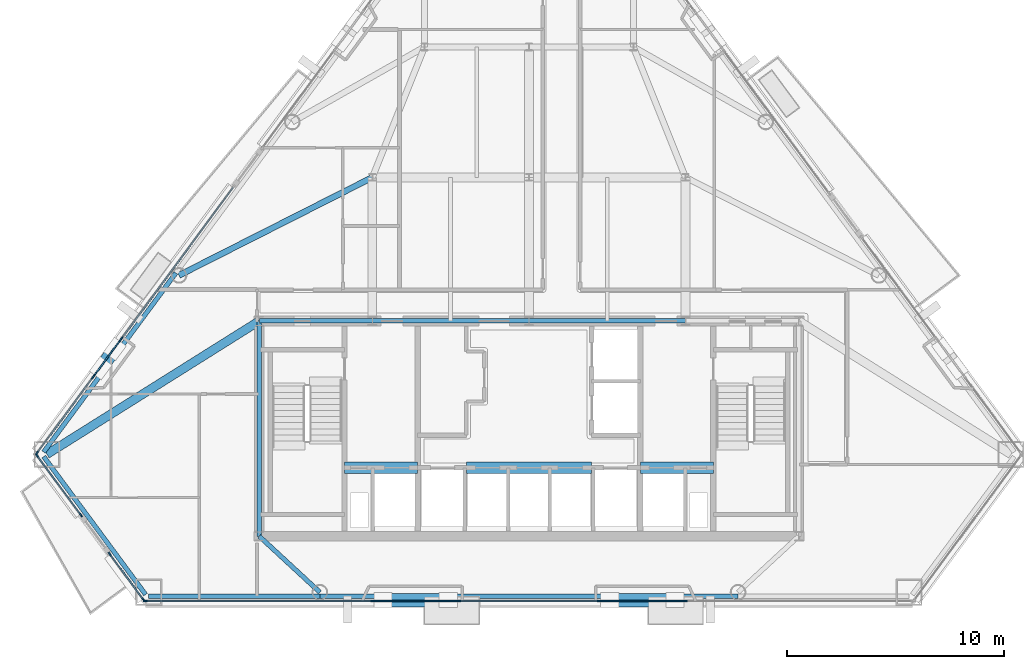
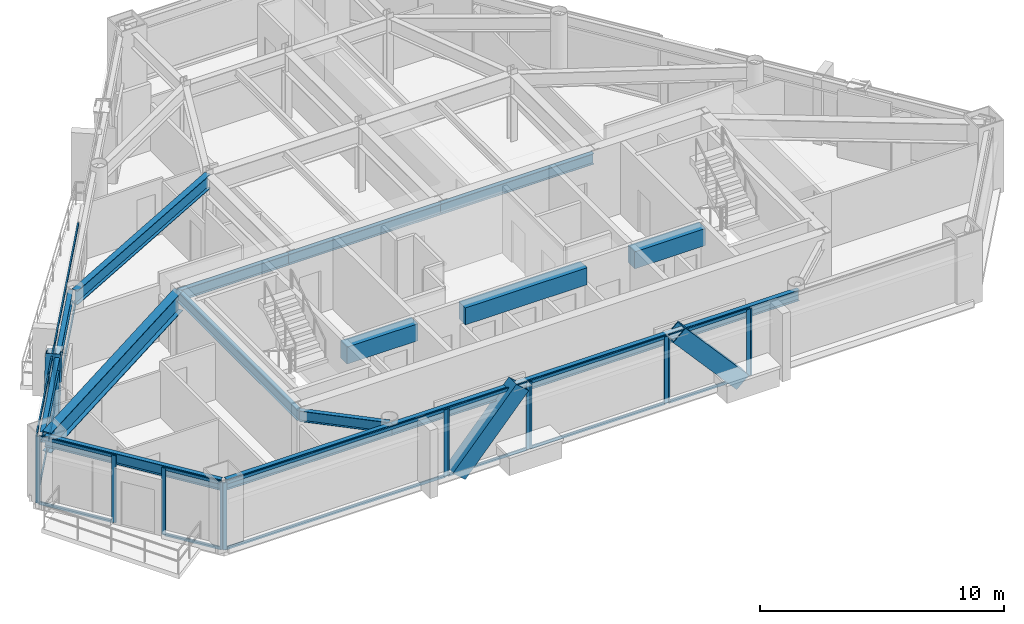
# One storey, part 3 of 11: 39 members, 14 beams, 10 elements without a shape of their own.
"""IFC4 building model written with IfcOpenShell, lengths in metres."""

import ifcopenshell
import ifcopenshell.guid

model = None  # the IFC model being written
_history = None  # IfcOwnerHistory: only IFC2X3 demands one
_inside = {}  # id of a spatial element -> (the spatial element, [elements in it])
_under = {}  # id of a project, library or spatial element -> (it, [spatial elements below it])
_declared = {}  # id of a project -> (the project, [libraries it declares])
_typed = {}  # id of a type object -> (the type object, [elements of that type])
_made_of = {}  # id of a material, layer set ... -> (it, [elements and type objects made of it])


def new_model(schema):
    """Start an empty IFC model of exactly this schema.

    Asked for "IFC4X3", IfcOpenShell would pick the latest addendum, in which some entities
    have other attributes; the version numbers below select the first issue.
    IFC2X3 requires an IfcOwnerHistory on every rooted entity: one is made here for all.
    """
    global model, _history
    if schema == "IFC4X3":
        model = ifcopenshell.file(schema_version=(4, 3, 0, 0))
    else:
        model = ifcopenshell.file(schema=schema)
    _inside.clear()
    _under.clear()
    _declared.clear()
    _typed.clear()
    _made_of.clear()
    _history = None
    if model.schema == "IFC2X3":
        org = make("IfcOrganization", Name="unknown")
        user = make(
            "IfcPersonAndOrganization",
            ThePerson=make("IfcPerson", FamilyName="unknown"),
            TheOrganization=org,
        )
        app = make(
            "IfcApplication",
            ApplicationDeveloper=org,
            Version="unknown",
            ApplicationFullName="unknown",
            ApplicationIdentifier="unknown",
        )
        _history = make(
            "IfcOwnerHistory",
            OwningUser=user,
            OwningApplication=app,
            ChangeAction="ADDED",
            CreationDate=0,
        )
    return model


def make(cls, **values):
    """One entity of the class cls with the attributes given. An attribute that is None is left unset."""
    return model.create_entity(
        cls, **{name: value for name, value in values.items() if value is not None}
    )


def rooted(cls, **values):
    """An entity with a GlobalId (a new one), such as an element, a storey or a relation."""
    return make(cls, GlobalId=ifcopenshell.guid.new(), OwnerHistory=_history, **values)


def si_unit(unit_type, name, prefix=None):
    """IfcSIUnit, for example si_unit("LENGTHUNIT", "METRE", prefix="MILLI")."""
    return make("IfcSIUnit", UnitType=unit_type, Prefix=prefix, Name=name)


def assignment(units):
    """IfcUnitAssignment: the units of a project."""
    return None if units is None else make("IfcUnitAssignment", Units=units)


def point(xyz):
    """IfcCartesianPoint."""
    return None if xyz is None else make("IfcCartesianPoint", Coordinates=xyz)


def direction(xyz):
    """IfcDirection."""
    return None if xyz is None else make("IfcDirection", DirectionRatios=xyz)


def frame(location, z_axis=None, x_axis=None):
    """IfcAxis2Placement3D, a coordinate frame: its origin and axes. An axis left out is left unset."""
    return make(
        "IfcAxis2Placement3D",
        Location=point(location),
        Axis=direction(z_axis),
        RefDirection=direction(x_axis),
    )


def frame_2d(location, x_axis=None):
    """IfcAxis2Placement2D, a coordinate frame in the plane: its origin and x axis."""
    return make(
        "IfcAxis2Placement2D", Location=point(location), RefDirection=direction(x_axis)
    )


def origin():
    """The frame at (0, 0, 0) with its axes left unset."""
    return frame((0.0, 0.0, 0.0))


def origin_2d():
    """The frame at (0, 0) in the plane with its x axis left unset."""
    return frame_2d((0.0, 0.0))


def place(relative_to, where):
    """IfcLocalPlacement: puts the frame where relative to a parent placement (None: the world)."""
    return make(
        "IfcLocalPlacement", PlacementRelTo=relative_to, RelativePlacement=where
    )


def context(
    kind, dimensions, precision=None, world=None, true_north=None, identifier=None
):
    """IfcGeometricRepresentationContext, for example the 3D "Model" context."""
    return make(
        "IfcGeometricRepresentationContext",
        ContextIdentifier=identifier,
        ContextType=kind,
        CoordinateSpaceDimension=dimensions,
        Precision=precision,
        WorldCoordinateSystem=world,
        TrueNorth=true_north,
    )


def subcontext(parent, identifier, kind, view, scale=None):
    """IfcGeometricRepresentationSubContext, for example "Body" below "Model"."""
    return make(
        "IfcGeometricRepresentationSubContext",
        ContextIdentifier=identifier,
        ContextType=kind,
        ParentContext=parent,
        TargetScale=scale,
        TargetView=view,
    )


def project(units=None, contexts=None):
    """IfcProject with its units and contexts."""
    return rooted(
        "IfcProject",
        Name="project",
        RepresentationContexts=contexts,
        UnitsInContext=assignment(units),
    )


def spatial(cls, under=None, at=None, **own):
    """A site, building, storey or space (cls), placed at a placement, below another one or the project."""
    s = rooted(cls, ObjectPlacement=at, **own)
    if under is not None:
        _under.setdefault(under.id(), (under, []))[1].append(s)
    return s


def profile(cls, at=None, kind="AREA", **sizes):
    """A parametric profile (cls). Its sizes go by their IFC names, for example OverallWidth=200.0."""
    return make(cls, ProfileType=kind, Position=at, **sizes)


def rectangle(**sizes):
    """IfcRectangleProfileDef."""
    return profile("IfcRectangleProfileDef", **sizes)


def hollow_rectangle(**sizes):
    """IfcRectangleHollowProfileDef."""
    return profile("IfcRectangleHollowProfileDef", **sizes)


def i_section(**sizes):
    """IfcIShapeProfileDef."""
    return profile("IfcIShapeProfileDef", **sizes)


def extrude(swept, where, along, depth):
    """IfcExtrudedAreaSolid: the profile swept, set in the frame where, extruded along a direction by depth."""
    return make(
        "IfcExtrudedAreaSolid",
        SweptArea=swept,
        Position=where,
        ExtrudedDirection=direction(along),
        Depth=depth,
    )


def shape(context_of_items, identifier, shape_type, items):
    """IfcShapeRepresentation: the items that make up one representation, for example the "Body"."""
    return make(
        "IfcShapeRepresentation",
        ContextOfItems=context_of_items,
        RepresentationIdentifier=identifier,
        RepresentationType=shape_type,
        Items=items,
    )


def material(Name=None, Category=None):
    """IfcMaterial."""
    return make("IfcMaterial", Name=Name, Category=Category)


def layer(
    of_material, thickness, ventilated=None, Name=None, Category=None, Priority=None
):
    """IfcMaterialLayer: one layer of a wall or slab, of a material (None: an air gap)."""
    return make(
        "IfcMaterialLayer",
        Material=of_material,
        LayerThickness=thickness,
        IsVentilated=ventilated,
        Name=Name,
        Category=Category,
        Priority=Priority,
    )


def layer_set(layers, Name=None):
    """IfcMaterialLayerSet."""
    return make("IfcMaterialLayerSet", MaterialLayers=layers, LayerSetName=Name)


def material_profile(
    of_material, cross_section, Name=None, Category=None, Priority=None
):
    """IfcMaterialProfile: a cross section and its material."""
    return make(
        "IfcMaterialProfile",
        Name=Name,
        Material=of_material,
        Profile=cross_section,
        Priority=Priority,
        Category=Category,
    )


def profile_set(profiles, Name=None, composite=None):
    """IfcMaterialProfileSet."""
    return make(
        "IfcMaterialProfileSet",
        Name=Name,
        MaterialProfiles=profiles,
        CompositeProfile=composite,
    )


def made_of(thing, what):
    """Note that an element or type object is made of a material, layer set ...; save() writes the relation."""
    if what is not None:
        _made_of.setdefault(what.id(), (what, []))[1].append(thing)
    return thing


def type_object(cls, material=None, **own):
    """A type object (cls), such as IfcWallType, which elements share."""
    return made_of(rooted(cls, **own), material)


def element(
    cls,
    number,
    at=None,
    inside=None,
    cuts=None,
    type_object=None,
    material=None,
    context=None,
    identifier="Body",
    shape_type=None,
    held_by="IfcProductDefinitionShape",
    body=None,
    shapes=None,
    **own,
):
    """One element of the class cls, such as IfcWall. Its Tag is "e" and its number.

    at: its placement. inside: the storey or other place that contains it. cuts: it is an
    opening in that element (IfcRelVoidsElement). A single representation is given by context,
    identifier, shape_type and body (its items); several are given by shapes. held_by: the class
    of the entity that holds the representations. save() writes the other relations.
    """
    e = rooted(cls, Tag="e%d" % number, ObjectPlacement=at, **own)
    if body is not None:
        shapes = [shape(context, identifier, shape_type, body)]
    if shapes is not None:
        e.Representation = make(held_by, Representations=shapes)
    if inside is not None:
        _inside.setdefault(inside.id(), (inside, []))[1].append(e)
    if cuts is not None:
        rooted(
            "IfcRelVoidsElement", RelatingBuildingElement=cuts, RelatedOpeningElement=e
        )
    if type_object is not None:
        _typed.setdefault(type_object.id(), (type_object, []))[1].append(e)
    return made_of(e, material)


def aggregate(whole, parts):
    """IfcRelAggregates: a whole, such as a stair, and the parts it consists of."""
    return rooted("IfcRelAggregates", RelatingObject=whole, RelatedObjects=parts)


def save(model, path):
    """Write the relations noted so far, then the file.

    IfcRelAggregates (storeys below a building ...), IfcRelContainedInSpatialStructure (elements
    in a storey), IfcRelDefinesByType, IfcRelAssociatesMaterial and IfcRelDeclares: one each for
    every whole, place, type object, material and project.
    """
    for whole, parts in _under.values():
        aggregate(whole, parts)
    for where, things in _inside.values():
        rooted(
            "IfcRelContainedInSpatialStructure",
            RelatedElements=things,
            RelatingStructure=where,
        )
    for kind, things in _typed.values():
        rooted("IfcRelDefinesByType", RelatedObjects=things, RelatingType=kind)
    for what, things in _made_of.values():
        rooted("IfcRelAssociatesMaterial", RelatedObjects=things, RelatingMaterial=what)
    for by, libraries in _declared.values():
        rooted("IfcRelDeclares", RelatingContext=by, RelatedDefinitions=libraries)
    model.write(path)


model = new_model("IFC4")

# Units and contexts
model_context = context("Model", 3, precision=1e-05, world=origin(), true_north=direction((0.0, 1.0)))
body_context = subcontext(model_context, "Body", "Model", "MODEL_VIEW")
ifc_project = project(units=[si_unit("LENGTHUNIT", "METRE"), si_unit("AREAUNIT", "SQUARE_METRE"), si_unit("VOLUMEUNIT", "CUBIC_METRE"), si_unit("PLANEANGLEUNIT", "RADIAN"), si_unit("MASSUNIT", "GRAM", prefix="KILO")], contexts=[model_context])

# Site, building, storey
site_placement = place(None, origin())
site = spatial("IfcSite", under=ifc_project, at=site_placement, CompositionType="ELEMENT")
building_placement = place(site_placement, origin())
building = spatial("IfcBuilding", under=site, at=building_placement, Name="Talgorran Terracotta Tower", CompositionType="ELEMENT")
storey_placement = place(building_placement, frame((0.0, 0.0, 143.699951171875)))
storey = spatial("IfcBuildingStorey", under=building, at=storey_placement, Name="L37", CompositionType="ELEMENT", Elevation=143.699951171875)

# Beams
ifc_material_1 = material(Name="Steel Grade 350 (350L0)", Category="steel")
ifc_material_profile_1 = material_profile(ifc_material_1, i_section(OverallWidth=0.39990234375, OverallDepth=1.0, WebThickness=0.01611328125, FlangeThickness=0.031005859375, at=origin_2d()), Name="1000WB296")
ifc_profile_set_1 = profile_set([ifc_material_profile_1], Name="Steel Grade 350 (350L0)")
beam_type_1 = type_object("IfcBeamType", Name="BM_1000WB296", PredefinedType="BEAM", material=ifc_profile_set_1)
beam_1_placement = place(storey_placement, frame((-12.39990234375, -4.199951171875, 2.85009765625), z_axis=(-0.846977550412, -0.531628657145, 0.0), x_axis=(0.531628657145, -0.846977550412, 0.0)))
element("IfcBeam", 1, at=beam_1_placement, inside=storey, type_object=beam_type_1, Name="L37 Floor Girder G17", PredefinedType="BEAM", context=body_context, shape_type="SweptSolid", body=[
    extrude(i_section(OverallWidth=0.39990234375, OverallDepth=1.0, WebThickness=0.01611328125, FlangeThickness=0.031005859375, at=origin_2d()), origin(), (0.0, 0.0, 1.0), 11.533203125),
])
ifc_material_2 = material(Name="Steel S355 (300PLUS)", Category="steel")
ifc_material_profile_2 = material_profile(ifc_material_2, i_section(OverallWidth=0.27490234375, OverallDepth=0.7080078125, WebThickness=0.011962890625, FlangeThickness=0.02490234375, at=origin_2d()), Name="700WB173")
ifc_profile_set_2 = profile_set([ifc_material_profile_2], Name="Steel S355 (300PLUS)")
beam_type_2 = type_object("IfcBeamType", Name="BM_700WB173", PredefinedType="BEAM", material=ifc_profile_set_2)
beam_2_placement = place(storey_placement, frame((-7.199951171875, 2.39990234375, 2.99609375), z_axis=(-0.892122666424, -0.451793258087, 0.0), x_axis=(0.451793258087, -0.892122666424, 0.0)))
element("IfcBeam", 2, at=beam_2_placement, inside=storey, type_object=beam_type_2, Name="L37 Floor Girder G06", PredefinedType="BEAM", context=body_context, shape_type="SweptSolid", body=[
    extrude(i_section(OverallWidth=0.27490234375, OverallDepth=0.7080078125, WebThickness=0.011962890625, FlangeThickness=0.02490234375, at=origin_2d()), origin(), (0.0, 0.0, 1.0), 9.966796875),
])
ifc_material_3 = material(Name="Concrete C50/60", Category="concrete")
ifc_material_profile_3 = material_profile(ifc_material_3, rectangle(XDim=0.550048828125, YDim=0.85009765625, at=origin_2d()), Name="RCCB550X850")
ifc_profile_set_3 = profile_set([ifc_material_profile_3], Name="Concrete C50/60")
beam_type_3 = type_object("IfcBeamType", Name="BM_CB_550X850", PredefinedType="LINTEL", material=ifc_profile_set_3)
beam_3_placement = place(storey_placement, frame((-8.47998046875, -10.949951171875, 2.925048828125), z_axis=(1.0, 0.0, 0.0), x_axis=(0.0, 1.0, 0.0)))
element("IfcBeam", 3, at=beam_3_placement, inside=storey, type_object=beam_type_3, Name="L37 Core Shear-Wall Coupling Beam CB1", PredefinedType="LINTEL", context=body_context, shape_type="SweptSolid", body=[
    extrude(rectangle(XDim=0.550048828125, YDim=0.85009765625, at=origin_2d()), origin(), (0.0, 0.0, 1.0), 3.35986328125),
])
beam_4_placement = place(storey_placement, frame((-2.8798828125, -10.949951171875, 2.925048828125), z_axis=(1.0, 0.0, 0.0), x_axis=(0.0, 1.0, 0.0)))
element("IfcBeam", 4, at=beam_4_placement, inside=storey, type_object=beam_type_3, Name="L37 Core Shear-Wall Coupling Beam CB2", PredefinedType="LINTEL", context=body_context, shape_type="SweptSolid", body=[
    extrude(rectangle(XDim=0.550048828125, YDim=0.85009765625, at=origin_2d()), origin(), (0.0, 0.0, 1.0), 5.759765625),
])
beam_5_placement = place(storey_placement, frame((5.1201171875, -10.949951171875, 2.925048828125), z_axis=(1.0, 0.0, 0.0), x_axis=(0.0, 1.0, 0.0)))
element("IfcBeam", 5, at=beam_5_placement, inside=storey, type_object=beam_type_3, Name="L37 Core Shear-Wall Coupling Beam CB3", PredefinedType="LINTEL", context=body_context, shape_type="SweptSolid", body=[
    extrude(rectangle(XDim=0.550048828125, YDim=0.85009765625, at=origin_2d()), origin(), (0.0, 0.0, 1.0), 3.35986328125),
])
ifc_material_profile_4 = material_profile(ifc_material_2, i_section(OverallWidth=0.209228515625, OverallDepth=0.532958984375, WebThickness=0.01025390625, FlangeThickness=0.015625, at=origin_2d()), Name="530UB92.4")
ifc_profile_set_4 = profile_set([ifc_material_profile_4], Name="Steel S355 (300PLUS)")
beam_type_4 = type_object("IfcBeamType", Name="BM_SP_530UB92", PredefinedType="SPANDREL", material=ifc_profile_set_4)
beam_6_placement = place(storey_placement, frame((-22.31298828125, -10.43798828125, 3.08349609375), z_axis=(0.594068918856, -0.804414146848, 0.0), x_axis=(0.804414146848, 0.594068918856, 0.0)))
element("IfcBeam", 6, at=beam_6_placement, inside=storey, type_object=beam_type_4, Name="L37 Perimeter Spandrel Beam MC1-MC2", PredefinedType="SPANDREL", context=body_context, shape_type="SweptSolid", body=[
    extrude(i_section(OverallWidth=0.209228515625, OverallDepth=0.532958984375, WebThickness=0.01025390625, FlangeThickness=0.015625, at=origin_2d()), origin(), (0.0, 0.0, 1.0), 7.885498046875),
])
beam_7_placement = place(storey_placement, frame((-17.483642578125, -16.8544921875, 3.08349609375), z_axis=(1.0, 0.0, 0.0), x_axis=(0.0, 1.0, 0.0)))
element("IfcBeam", 7, at=beam_7_placement, inside=storey, type_object=beam_type_4, Name="L37 Perimeter Spandrel Beam MC2-FC1", PredefinedType="SPANDREL", context=body_context, shape_type="SweptSolid", body=[
    extrude(i_section(OverallWidth=0.209228515625, OverallDepth=0.532958984375, WebThickness=0.01025390625, FlangeThickness=0.015625, at=origin_2d()), origin(), (0.0, 0.0, 1.0), 7.86767578125),
])
beam_8_placement = place(storey_placement, frame((-9.615966796875, -16.8544921875, 3.08349609375), z_axis=(1.0, 0.0, 0.0), x_axis=(0.0, 1.0, 0.0)))
element("IfcBeam", 8, at=beam_8_placement, inside=storey, type_object=beam_type_4, Name="L37 Perimeter Spandrel Beam FC1-FC2", PredefinedType="SPANDREL", context=body_context, shape_type="SweptSolid", body=[
    extrude(i_section(OverallWidth=0.209228515625, OverallDepth=0.532958984375, WebThickness=0.01025390625, FlangeThickness=0.015625, at=origin_2d()), origin(), (0.0, 0.0, 1.0), 19.23193359375),
])
beam_9_placement = place(storey_placement, frame((-16.236328125, -1.99609375, 3.08349609375), z_axis=(-0.594068215055, -0.804414666613, 0.0), x_axis=(0.804414666613, -0.594068215055, 0.0)))
element("IfcBeam", 9, at=beam_9_placement, inside=storey, type_object=beam_type_4, Name="L37 Perimeter Spandrel Beam FC6-MC1", PredefinedType="SPANDREL", context=body_context, shape_type="SweptSolid", body=[
    extrude(i_section(OverallWidth=0.209228515625, OverallDepth=0.532958984375, WebThickness=0.01025390625, FlangeThickness=0.015625, at=origin_2d()), origin(), (0.0, 0.0, 1.0), 10.22900390625),
])
beam_10_placement = place(storey_placement, frame((-9.615966796875, -16.67431640625, 3.08349609375), z_axis=(-0.734220592544, 0.678910982003, 0.0), x_axis=(-0.678910982003, -0.734220592544, 0.0)))
element("IfcBeam", 10, at=beam_10_placement, inside=storey, type_object=beam_type_4, Name="L37 South-West Core Tie Beam", PredefinedType="SPANDREL", context=body_context, shape_type="SweptSolid", body=[
    extrude(i_section(OverallWidth=0.209228515625, OverallDepth=0.532958984375, WebThickness=0.01025390625, FlangeThickness=0.015625, at=origin_2d()), origin(), (0.0, 0.0, 1.0), 3.791748046875),
])
beam_11_placement = place(storey_placement, frame((-12.39990234375, -14.10009765625, 3.08349609375), z_axis=(0.0, 1.0, 0.0), x_axis=(-1.0, 0.0, 0.0)))
element("IfcBeam", 11, at=beam_11_placement, inside=storey, type_object=beam_type_4, Name="L37 Core Frame Beam CFW", PredefinedType="SPANDREL", context=body_context, shape_type="SweptSolid", body=[
    extrude(i_section(OverallWidth=0.209228515625, OverallDepth=0.532958984375, WebThickness=0.01025390625, FlangeThickness=0.015625, at=origin_2d()), origin(), (0.0, 0.0, 1.0), 9.900146484375),
])
beam_12_placement = place(storey_placement, frame((-12.39990234375, -4.199951171875, 3.08349609375), z_axis=(1.0, 0.0, 0.0), x_axis=(0.0, 1.0, 0.0)))
element("IfcBeam", 12, at=beam_12_placement, inside=storey, type_object=beam_type_4, Name="L37 Core Frame Beam CFN1", PredefinedType="SPANDREL", context=body_context, shape_type="SweptSolid", body=[
    extrude(i_section(OverallWidth=0.209228515625, OverallDepth=0.532958984375, WebThickness=0.01025390625, FlangeThickness=0.015625, at=origin_2d()), origin(), (0.0, 0.0, 1.0), 5.199951171875),
])
for number, where, z_axis, x_axis, name in (
    (13, (-7.199951171875, -4.199951171875, 3.08349609375), (1.0, 0.0, 0.0), (0.0, 1.0, 0.0), "L37 Core Frame Beam CFN2"),
    (14, (0.0, -4.199951171875, 3.08349609375), (1.0, 0.0, 0.0), (0.0, 1.0, 0.0), "L37 Core Frame Beam CFN3"),
):
    element("IfcBeam", number, at=place(storey_placement, frame(where, z_axis=z_axis, x_axis=x_axis)), inside=storey, type_object=beam_type_4, Name=name, PredefinedType="SPANDREL", context=body_context, shape_type="SweptSolid", body=[
        extrude(i_section(OverallWidth=0.209228515625, OverallDepth=0.532958984375, WebThickness=0.01025390625, FlangeThickness=0.015625, at=origin_2d()), origin(), (0.0, 0.0, 1.0), 7.199951171875),
    ])

# Members
ifc_material_profile_5 = material_profile(ifc_material_1, hollow_rectangle(XDim=0.6201171875, YDim=0.780029296875, WallThickness=0.0419921875, at=origin_2d()), Name="WBOX780X620X42")
ifc_profile_set_5 = profile_set([ifc_material_profile_5], Name="Steel Grade 350 (350L0)")
member_type_1 = type_object("IfcMemberType", Name="MB_MEGA_780", PredefinedType="BRACE", material=ifc_profile_set_5)
for number, where, z_axis, x_axis, name in (
    (15, (-6.712890625, -17.034423828125, -0.02490234375), (0.662025601182, 0.0, 0.749481222833), (0.0, 1.0, 0.0), "L37 Exterior Face Mega-Brace MB-2 (SWF)"),
    (16, (6.712890625, -17.034423828125, -0.02490234375), (-0.662025601182, 0.0, 0.749481222833), (0.0, -1.0, 0.0), "L37 Exterior Face Mega-Brace MB-2 (SEF)"),
):
    element("IfcMember", number, at=place(storey_placement, frame(where, z_axis=z_axis, x_axis=x_axis)), inside=storey, type_object=member_type_1, Name=name, PredefinedType="BRACE", context=body_context, shape_type="SweptSolid", body=[
        extrude(hollow_rectangle(XDim=0.6201171875, YDim=0.780029296875, WallThickness=0.0419921875, at=origin_2d()), origin(), (0.0, 0.0, 1.0), 4.536376953125),
    ])
member_1_placement = place(storey_placement, frame((-19.689697265625, -6.368896484375, -0.02490234375), z_axis=(0.182587728197, 0.247163103626, 0.951615532512), x_axis=(-0.804328623679, 0.59418470624, 0.0)))
element("IfcMember", 17, at=member_1_placement, inside=storey, type_object=member_type_1, Name="L37 Exterior Face Mega-Brace MB-2 (NWL)", PredefinedType="BRACE", context=body_context, shape_type="SweptSolid", body=[
    extrude(hollow_rectangle(XDim=0.6201171875, YDim=0.780029296875, WallThickness=0.0419921875, at=origin_2d()), origin(), (0.0, 0.0, 1.0), 3.57275390625),
])

# Curtain wall, members
ifc_material_4 = material(Name="Unitised Low-E Double Glazing", Category="glass")
ifc_layer = layer(ifc_material_4, 0.199951171875, Name="CW_SYS2_RES_LOW")
ifc_layer_set = layer_set([ifc_layer], Name="Unitised Low-E Double Glazing")
curtain_wall_type = type_object("IfcCurtainWallType", Name="CW_SYS2_RES_LOW", PredefinedType="NOTDEFINED", material=ifc_layer_set)
curtain_wall_1_placement = place(storey_placement, origin())
curtain_wall_1 = element("IfcCurtainWall", 18, at=curtain_wall_1_placement, inside=storey, type_object=curtain_wall_type, Name="CW-L37-F10", PredefinedType="NOTDEFINED")
ifc_material_5 = material(Name="Architectural Aluminium 6063-T6", Category="aluminium")
ifc_material_profile_6 = material_profile(ifc_material_5, rectangle(XDim=0.06494140625, YDim=0.18505859375, at=origin_2d()), Name="CWM65X185")
ifc_profile_set_6 = profile_set([ifc_material_profile_6], Name="Architectural Aluminium 6063-T6")
member_type_2 = type_object("IfcMemberType", Name="MUL_65X185", PredefinedType="MULLION", material=ifc_profile_set_6)
member_2_placement = place(storey_placement, frame((-22.622314453125, -10.3896484375, 0.0), z_axis=(0.0, 0.0, 1.0), x_axis=(0.804413538674, 0.594069742369, 0.0)))
member_2 = element("IfcMember", 19, at=member_2_placement, type_object=member_type_2, Name="CW-L37-10 mullion 1", PredefinedType="MULLION", context=body_context, shape_type="SweptSolid", body=[
    extrude(rectangle(XDim=0.06494140625, YDim=0.18505859375, at=origin_2d()), origin(), (0.0, 0.0, 1.0), 3.35009765625),
])
member_3_placement = place(storey_placement, frame((-20.60205078125, -13.125244140625, 0.0), z_axis=(0.0, 0.0, 1.0), x_axis=(0.804413538674, 0.594069742369, 0.0)))
member_3 = element("IfcMember", 20, at=member_3_placement, type_object=member_type_2, Name="CW-L37-10 mullion 2", PredefinedType="MULLION", context=body_context, shape_type="SweptSolid", body=[
    extrude(rectangle(XDim=0.06494140625, YDim=0.18505859375, at=origin_2d()), origin(), (0.0, 0.0, 1.0), 3.35009765625),
])

curtain_wall_2_placement = place(storey_placement, origin())
curtain_wall_2 = element("IfcCurtainWall", 21, at=curtain_wall_2_placement, inside=storey, type_object=curtain_wall_type, Name="CW-L37-F11", PredefinedType="NOTDEFINED")
member_4_placement = place(storey_placement, frame((-19.2802734375, -14.9150390625, 0.0), z_axis=(0.0, 0.0, 1.0), x_axis=(0.804415964827, 0.594066457167, 0.0)))
member_4 = element("IfcMember", 22, at=member_4_placement, type_object=member_type_2, Name="CW-L37-11 mullion 1", PredefinedType="MULLION", context=body_context, shape_type="SweptSolid", body=[
    extrude(rectangle(XDim=0.06494140625, YDim=0.18505859375, at=origin_2d()), origin(), (0.0, 0.0, 1.0), 3.35009765625),
])
member_5_placement = place(storey_placement, frame((-17.728515625, -17.01611328125, 0.0), z_axis=(0.0, 0.0, 1.0), x_axis=(0.804415964827, 0.594066457167, 0.0)))
member_5 = element("IfcMember", 23, at=member_5_placement, type_object=member_type_2, Name="CW-L37-11 mullion 2", PredefinedType="MULLION", context=body_context, shape_type="SweptSolid", body=[
    extrude(rectangle(XDim=0.06494140625, YDim=0.18505859375, at=origin_2d()), origin(), (0.0, 0.0, 1.0), 3.35009765625),
])

curtain_wall_3_placement = place(storey_placement, origin())
curtain_wall_3 = element("IfcCurtainWall", 24, at=curtain_wall_3_placement, inside=storey, type_object=curtain_wall_type, Name="CW-L37-F1", PredefinedType="NOTDEFINED")
member_6_placement = place(storey_placement, frame((-17.65283203125, -17.074462890625, 0.0), z_axis=(0.0, 0.0, 1.0), x_axis=(0.0, 1.0, 0.0)))
member_6 = element("IfcMember", 25, at=member_6_placement, type_object=member_type_2, Name="CW-L37-1 mullion 1", PredefinedType="MULLION", context=body_context, shape_type="SweptSolid", body=[
    extrude(rectangle(XDim=0.06494140625, YDim=0.18505859375, at=origin_2d()), origin(), (0.0, 0.0, 1.0), 3.35009765625),
])
member_7_placement = place(storey_placement, frame((-7.192626953125, -17.074462890625, 0.0), z_axis=(0.0, 0.0, 1.0), x_axis=(0.0, 1.0, 0.0)))
member_7 = element("IfcMember", 26, at=member_7_placement, type_object=member_type_2, Name="CW-L37-1 mullion 2", PredefinedType="MULLION", context=body_context, shape_type="SweptSolid", body=[
    extrude(rectangle(XDim=0.06494140625, YDim=0.18505859375, at=origin_2d()), origin(), (0.0, 0.0, 1.0), 3.35009765625),
])

curtain_wall_4_placement = place(storey_placement, origin())
curtain_wall_4 = element("IfcCurtainWall", 27, at=curtain_wall_4_placement, inside=storey, type_object=curtain_wall_type, Name="CW-L37-F1B", PredefinedType="NOTDEFINED")
member_8_placement = place(storey_placement, frame((-7.11767578125, -17.074462890625, 0.0), z_axis=(0.0, 0.0, 1.0), x_axis=(0.0, 1.0, 0.0)))
member_8 = element("IfcMember", 28, at=member_8_placement, type_object=member_type_2, Name="CW-L37-1B mullion 1", PredefinedType="MULLION", context=body_context, shape_type="SweptSolid", body=[
    extrude(rectangle(XDim=0.06494140625, YDim=0.18505859375, at=origin_2d()), origin(), (0.0, 0.0, 1.0), 3.35009765625),
])
member_9_placement = place(storey_placement, frame((-3.304931640625, -17.074462890625, 0.0), z_axis=(0.0, 0.0, 1.0), x_axis=(0.0, 1.0, 0.0)))
member_9 = element("IfcMember", 29, at=member_9_placement, type_object=member_type_2, Name="CW-L37-1B mullion 2", PredefinedType="MULLION", context=body_context, shape_type="SweptSolid", body=[
    extrude(rectangle(XDim=0.06494140625, YDim=0.18505859375, at=origin_2d()), origin(), (0.0, 0.0, 1.0), 3.35009765625),
])

curtain_wall_5_placement = place(storey_placement, origin())
curtain_wall_5 = element("IfcCurtainWall", 30, at=curtain_wall_5_placement, inside=storey, type_object=curtain_wall_type, Name="CW-L37-F1C", PredefinedType="NOTDEFINED")
member_10_placement = place(storey_placement, frame((-3.22998046875, -17.074462890625, 0.0), z_axis=(0.0, 0.0, 1.0), x_axis=(0.0, 1.0, 0.0)))
member_10 = element("IfcMember", 31, at=member_10_placement, type_object=member_type_2, Name="CW-L37-1C mullion 1", PredefinedType="MULLION", context=body_context, shape_type="SweptSolid", body=[
    extrude(rectangle(XDim=0.06494140625, YDim=0.18505859375, at=origin_2d()), origin(), (0.0, 0.0, 1.0), 3.35009765625),
])
member_11_placement = place(storey_placement, frame((3.22998046875, -17.074462890625, 0.0), z_axis=(0.0, 0.0, 1.0), x_axis=(0.0, 1.0, 0.0)))
member_11 = element("IfcMember", 32, at=member_11_placement, type_object=member_type_2, Name="CW-L37-1C mullion 2", PredefinedType="MULLION", context=body_context, shape_type="SweptSolid", body=[
    extrude(rectangle(XDim=0.06494140625, YDim=0.18505859375, at=origin_2d()), origin(), (0.0, 0.0, 1.0), 3.35009765625),
])

curtain_wall_6_placement = place(storey_placement, origin())
curtain_wall_6 = element("IfcCurtainWall", 33, at=curtain_wall_6_placement, inside=storey, type_object=curtain_wall_type, Name="CW-L37-F1D", PredefinedType="NOTDEFINED")
member_12_placement = place(storey_placement, frame((3.304931640625, -17.074462890625, 0.0), z_axis=(0.0, 0.0, 1.0), x_axis=(0.0, 1.0, 0.0)))
member_12 = element("IfcMember", 34, at=member_12_placement, type_object=member_type_2, Name="CW-L37-1D mullion 1", PredefinedType="MULLION", context=body_context, shape_type="SweptSolid", body=[
    extrude(rectangle(XDim=0.06494140625, YDim=0.18505859375, at=origin_2d()), origin(), (0.0, 0.0, 1.0), 3.35009765625),
])
member_13_placement = place(storey_placement, frame((7.11767578125, -17.074462890625, 0.0), z_axis=(0.0, 0.0, 1.0), x_axis=(0.0, 1.0, 0.0)))
member_13 = element("IfcMember", 35, at=member_13_placement, type_object=member_type_2, Name="CW-L37-1D mullion 2", PredefinedType="MULLION", context=body_context, shape_type="SweptSolid", body=[
    extrude(rectangle(XDim=0.06494140625, YDim=0.18505859375, at=origin_2d()), origin(), (0.0, 0.0, 1.0), 3.35009765625),
])

# Curtain wall, member
curtain_wall_7_placement = place(storey_placement, origin())
curtain_wall_7 = element("IfcCurtainWall", 36, at=curtain_wall_7_placement, inside=storey, type_object=curtain_wall_type, Name="CW-L37-F1E", PredefinedType="NOTDEFINED")
member_14_placement = place(storey_placement, frame((7.192626953125, -17.074462890625, 0.0), z_axis=(0.0, 0.0, 1.0), x_axis=(0.0, 1.0, 0.0)))
member_14 = element("IfcMember", 37, at=member_14_placement, type_object=member_type_2, Name="CW-L37-1E mullion 1", PredefinedType="MULLION", context=body_context, shape_type="SweptSolid", body=[
    extrude(rectangle(XDim=0.06494140625, YDim=0.18505859375, at=origin_2d()), origin(), (0.0, 0.0, 1.0), 3.35009765625),
])
aggregate(curtain_wall_7, [member_14])

curtain_wall_8_placement = place(storey_placement, origin())
curtain_wall_8 = element("IfcCurtainWall", 38, at=curtain_wall_8_placement, inside=storey, type_object=curtain_wall_type, Name="CW-L37-F61", PredefinedType="NOTDEFINED")
member_15_placement = place(storey_placement, frame((-18.737548828125, -5.0126953125, 0.0), z_axis=(0.0, 0.0, 1.0), x_axis=(0.804410301977, -0.594074125066, 0.0)))
member_15 = element("IfcMember", 39, at=member_15_placement, type_object=member_type_2, Name="CW-L37-61 mullion 2", PredefinedType="MULLION", context=body_context, shape_type="SweptSolid", body=[
    extrude(rectangle(XDim=0.06494140625, YDim=0.18505859375, at=origin_2d()), origin(), (0.0, 0.0, 1.0), 3.35009765625),
])

# Curtain wall, members
curtain_wall_9_placement = place(storey_placement, origin())
curtain_wall_9 = element("IfcCurtainWall", 40, at=curtain_wall_9_placement, inside=storey, type_object=curtain_wall_type, Name="CW-L37-F61B", PredefinedType="NOTDEFINED")
member_16_placement = place(storey_placement, frame((-18.7822265625, -5.072998046875, 0.0), z_axis=(0.0, 0.0, 1.0), x_axis=(0.804417046158, -0.594064992951, 0.0)))
member_16 = element("IfcMember", 41, at=member_16_placement, type_object=member_type_2, Name="CW-L37-61B mullion 1", PredefinedType="MULLION", context=body_context, shape_type="SweptSolid", body=[
    extrude(rectangle(XDim=0.06494140625, YDim=0.18505859375, at=origin_2d()), origin(), (0.0, 0.0, 1.0), 3.35009765625),
])
member_17_placement = place(storey_placement, frame((-20.009033203125, -6.734375, 0.0), z_axis=(0.0, 0.0, 1.0), x_axis=(0.804417046158, -0.594064992951, 0.0)))
member_17 = element("IfcMember", 42, at=member_17_placement, type_object=member_type_2, Name="CW-L37-61B mullion 2", PredefinedType="MULLION", context=body_context, shape_type="SweptSolid", body=[
    extrude(rectangle(XDim=0.06494140625, YDim=0.18505859375, at=origin_2d()), origin(), (0.0, 0.0, 1.0), 3.35009765625),
])

curtain_wall_10_placement = place(storey_placement, origin())
curtain_wall_10 = element("IfcCurtainWall", 43, at=curtain_wall_10_placement, inside=storey, type_object=curtain_wall_type, Name="CW-L37-F61C", PredefinedType="NOTDEFINED")
member_18_placement = place(storey_placement, frame((-20.0537109375, -6.79443359375, 0.0), z_axis=(0.0, 0.0, 1.0), x_axis=(0.804412831004, -0.594070700604, 0.0)))
member_18 = element("IfcMember", 44, at=member_18_placement, type_object=member_type_2, Name="CW-L37-61C mullion 1", PredefinedType="MULLION", context=body_context, shape_type="SweptSolid", body=[
    extrude(rectangle(XDim=0.06494140625, YDim=0.18505859375, at=origin_2d()), origin(), (0.0, 0.0, 1.0), 3.35009765625),
])
member_19_placement = place(storey_placement, frame((-22.622314453125, -10.27294921875, 0.0), z_axis=(0.0, 0.0, 1.0), x_axis=(0.804412831004, -0.594070700604, 0.0)))
member_19 = element("IfcMember", 45, at=member_19_placement, type_object=member_type_2, Name="CW-L37-61C mullion 2", PredefinedType="MULLION", context=body_context, shape_type="SweptSolid", body=[
    extrude(rectangle(XDim=0.06494140625, YDim=0.18505859375, at=origin_2d()), origin(), (0.0, 0.0, 1.0), 3.35009765625),
])

# Member
ifc_material_profile_7 = material_profile(ifc_material_5, rectangle(XDim=0.06494140625, YDim=0.14990234375, at=origin_2d()), Name="CWT65X150")
ifc_profile_set_7 = profile_set([ifc_material_profile_7], Name="Architectural Aluminium 6063-T6")
member_type_3 = type_object("IfcMemberType", Name="TRN_65X150", PredefinedType="USERDEFINED", material=ifc_profile_set_7)
member_20_placement = place(storey_placement, frame((-22.60302734375, -10.415771484375, 0.032470703125), z_axis=(0.594069986991, -0.804413358017, 0.0), x_axis=(0.804413358017, 0.594069986991, 0.0)))
member_20 = element("IfcMember", 46, at=member_20_placement, type_object=member_type_3, Name="CW-L37-10 transom 1.1", ObjectType="TRANSOM", PredefinedType="USERDEFINED", context=body_context, shape_type="SweptSolid", body=[
    extrude(rectangle(XDim=0.06494140625, YDim=0.14990234375, at=origin_2d()), origin(), (0.0, 0.0, 1.0), 3.335693359375),
])

member_21_placement = place(storey_placement, frame((-22.60302734375, -10.415771484375, 3.317626953125), z_axis=(0.594069986991, -0.804413358017, 0.0), x_axis=(0.804413358017, 0.594069986991, 0.0)))
member_21 = element("IfcMember", 47, at=member_21_placement, type_object=member_type_3, Name="CW-L37-10 transom 1.2", ObjectType="TRANSOM", PredefinedType="USERDEFINED", context=body_context, shape_type="SweptSolid", body=[
    extrude(rectangle(XDim=0.06494140625, YDim=0.14990234375, at=origin_2d()), origin(), (0.0, 0.0, 1.0), 3.335693359375),
])

aggregate(curtain_wall_1, [member_2, member_3, member_20, member_21])

member_22_placement = place(storey_placement, frame((-19.260986328125, -14.941162109375, 0.032470703125), z_axis=(0.594094557201, -0.804395212009, 0.0), x_axis=(0.804395212009, 0.594094557201, 0.0)))
member_22 = element("IfcMember", 48, at=member_22_placement, type_object=member_type_3, Name="CW-L37-11 transom 1.1", ObjectType="TRANSOM", PredefinedType="USERDEFINED", context=body_context, shape_type="SweptSolid", body=[
    extrude(rectangle(XDim=0.06494140625, YDim=0.14990234375, at=origin_2d()), origin(), (0.0, 0.0, 1.0), 2.547119140625),
])

member_23_placement = place(storey_placement, frame((-19.260986328125, -14.941162109375, 3.317626953125), z_axis=(0.594094557201, -0.804395212009, 0.0), x_axis=(0.804395212009, 0.594094557201, 0.0)))
member_23 = element("IfcMember", 49, at=member_23_placement, type_object=member_type_3, Name="CW-L37-11 transom 1.2", ObjectType="TRANSOM", PredefinedType="USERDEFINED", context=body_context, shape_type="SweptSolid", body=[
    extrude(rectangle(XDim=0.06494140625, YDim=0.14990234375, at=origin_2d()), origin(), (0.0, 0.0, 1.0), 2.547119140625),
])

aggregate(curtain_wall_2, [member_4, member_5, member_22, member_23])

member_24_placement = place(storey_placement, frame((-17.620361328125, -17.074462890625, 0.032470703125), z_axis=(1.0, 0.0, 0.0), x_axis=(0.0, 1.0, 0.0)))
member_24 = element("IfcMember", 50, at=member_24_placement, type_object=member_type_3, Name="CW-L37-1 transom 1.1", ObjectType="TRANSOM", PredefinedType="USERDEFINED", context=body_context, shape_type="SweptSolid", body=[
    extrude(rectangle(XDim=0.06494140625, YDim=0.14990234375, at=origin_2d()), origin(), (0.0, 0.0, 1.0), 10.395263671875),
])

member_25_placement = place(storey_placement, frame((-17.620361328125, -17.074462890625, 3.317626953125), z_axis=(1.0, 0.0, 0.0), x_axis=(0.0, 1.0, 0.0)))
member_25 = element("IfcMember", 51, at=member_25_placement, type_object=member_type_3, Name="CW-L37-1 transom 1.2", ObjectType="TRANSOM", PredefinedType="USERDEFINED", context=body_context, shape_type="SweptSolid", body=[
    extrude(rectangle(XDim=0.06494140625, YDim=0.14990234375, at=origin_2d()), origin(), (0.0, 0.0, 1.0), 10.395263671875),
])

aggregate(curtain_wall_3, [member_6, member_7, member_24, member_25])

member_26_placement = place(storey_placement, frame((-7.085205078125, -17.074462890625, 0.032470703125), z_axis=(1.0, 0.0, 0.0), x_axis=(0.0, 1.0, 0.0)))
member_26 = element("IfcMember", 52, at=member_26_placement, type_object=member_type_3, Name="CW-L37-1B transom 1.1", ObjectType="TRANSOM", PredefinedType="USERDEFINED", context=body_context, shape_type="SweptSolid", body=[
    extrude(rectangle(XDim=0.06494140625, YDim=0.14990234375, at=origin_2d()), origin(), (0.0, 0.0, 1.0), 3.747802734375),
])

member_27_placement = place(storey_placement, frame((-7.085205078125, -17.074462890625, 3.317626953125), z_axis=(1.0, 0.0, 0.0), x_axis=(0.0, 1.0, 0.0)))
member_27 = element("IfcMember", 53, at=member_27_placement, type_object=member_type_3, Name="CW-L37-1B transom 1.2", ObjectType="TRANSOM", PredefinedType="USERDEFINED", context=body_context, shape_type="SweptSolid", body=[
    extrude(rectangle(XDim=0.06494140625, YDim=0.14990234375, at=origin_2d()), origin(), (0.0, 0.0, 1.0), 3.747802734375),
])

aggregate(curtain_wall_4, [member_8, member_9, member_26, member_27])

member_28_placement = place(storey_placement, frame((-3.197509765625, -17.074462890625, 0.032470703125), z_axis=(1.0, 0.0, 0.0), x_axis=(0.0, 1.0, 0.0)))
member_28 = element("IfcMember", 54, at=member_28_placement, type_object=member_type_3, Name="CW-L37-1C transom 1.1", ObjectType="TRANSOM", PredefinedType="USERDEFINED", context=body_context, shape_type="SweptSolid", body=[
    extrude(rectangle(XDim=0.06494140625, YDim=0.14990234375, at=origin_2d()), origin(), (0.0, 0.0, 1.0), 6.39501953125),
])

member_29_placement = place(storey_placement, frame((-3.197509765625, -17.074462890625, 3.317626953125), z_axis=(1.0, 0.0, 0.0), x_axis=(0.0, 1.0, 0.0)))
member_29 = element("IfcMember", 55, at=member_29_placement, type_object=member_type_3, Name="CW-L37-1C transom 1.2", ObjectType="TRANSOM", PredefinedType="USERDEFINED", context=body_context, shape_type="SweptSolid", body=[
    extrude(rectangle(XDim=0.06494140625, YDim=0.14990234375, at=origin_2d()), origin(), (0.0, 0.0, 1.0), 6.39501953125),
])

aggregate(curtain_wall_5, [member_10, member_11, member_28, member_29])

member_30_placement = place(storey_placement, frame((3.33740234375, -17.074462890625, 0.032470703125), z_axis=(1.0, 0.0, 0.0), x_axis=(0.0, 1.0, 0.0)))
member_30 = element("IfcMember", 56, at=member_30_placement, type_object=member_type_3, Name="CW-L37-1D transom 1.1", ObjectType="TRANSOM", PredefinedType="USERDEFINED", context=body_context, shape_type="SweptSolid", body=[
    extrude(rectangle(XDim=0.06494140625, YDim=0.14990234375, at=origin_2d()), origin(), (0.0, 0.0, 1.0), 3.747802734375),
])

member_31_placement = place(storey_placement, frame((3.33740234375, -17.074462890625, 3.317626953125), z_axis=(1.0, 0.0, 0.0), x_axis=(0.0, 1.0, 0.0)))
member_31 = element("IfcMember", 57, at=member_31_placement, type_object=member_type_3, Name="CW-L37-1D transom 1.2", ObjectType="TRANSOM", PredefinedType="USERDEFINED", context=body_context, shape_type="SweptSolid", body=[
    extrude(rectangle(XDim=0.06494140625, YDim=0.14990234375, at=origin_2d()), origin(), (0.0, 0.0, 1.0), 3.747802734375),
])

aggregate(curtain_wall_6, [member_12, member_13, member_30, member_31])

member_32_placement = place(storey_placement, frame((-13.603515625, 1.939208984375, 0.032470703125), z_axis=(-0.594067305854, -0.804415338066, 0.0), x_axis=(0.804415338066, -0.594067305854, 0.0)))
member_32 = element("IfcMember", 58, at=member_32_placement, type_object=member_type_3, Name="CW-L37-61 transom 1.1", ObjectType="TRANSOM", PredefinedType="USERDEFINED", context=body_context, shape_type="SweptSolid", body=[
    extrude(rectangle(XDim=0.06494140625, YDim=0.14990234375, at=origin_2d()), origin(), (0.0, 0.0, 1.0), 8.609619140625),
])

member_33_placement = place(storey_placement, frame((-13.603515625, 1.939208984375, 3.317626953125), z_axis=(-0.594067305854, -0.804415338066, 0.0), x_axis=(0.804415338066, -0.594067305854, 0.0)))
member_33 = element("IfcMember", 59, at=member_33_placement, type_object=member_type_3, Name="CW-L37-61 transom 1.2", ObjectType="TRANSOM", PredefinedType="USERDEFINED", context=body_context, shape_type="SweptSolid", body=[
    extrude(rectangle(XDim=0.06494140625, YDim=0.14990234375, at=origin_2d()), origin(), (0.0, 0.0, 1.0), 8.609619140625),
])

aggregate(curtain_wall_8, [member_15, member_32, member_33])

member_34_placement = place(storey_placement, frame((-18.801513671875, -5.09912109375, 0.032470703125), z_axis=(-0.594085559723, -0.804401857114, 0.0), x_axis=(0.804401857114, -0.594085559723, 0.0)))
member_34 = element("IfcMember", 60, at=member_34_placement, type_object=member_type_3, Name="CW-L37-61B transom 1.1", ObjectType="TRANSOM", PredefinedType="USERDEFINED", context=body_context, shape_type="SweptSolid", body=[
    extrude(rectangle(XDim=0.06494140625, YDim=0.14990234375, at=origin_2d()), origin(), (0.0, 0.0, 1.0), 2.0),
])

member_35_placement = place(storey_placement, frame((-18.801513671875, -5.09912109375, 3.317626953125), z_axis=(-0.594085559723, -0.804401857114, 0.0), x_axis=(0.804401857114, -0.594085559723, 0.0)))
member_35 = element("IfcMember", 61, at=member_35_placement, type_object=member_type_3, Name="CW-L37-61B transom 1.2", ObjectType="TRANSOM", PredefinedType="USERDEFINED", context=body_context, shape_type="SweptSolid", body=[
    extrude(rectangle(XDim=0.06494140625, YDim=0.14990234375, at=origin_2d()), origin(), (0.0, 0.0, 1.0), 2.0),
])

aggregate(curtain_wall_9, [member_16, member_17, member_34, member_35])

member_36_placement = place(storey_placement, frame((-20.072998046875, -6.82080078125, 0.032470703125), z_axis=(-0.594049305531, -0.804428631141, 0.0), x_axis=(0.804428631141, -0.594049305531, 0.0)))
member_36 = element("IfcMember", 62, at=member_36_placement, type_object=member_type_3, Name="CW-L37-61C transom 1.1", ObjectType="TRANSOM", PredefinedType="USERDEFINED", context=body_context, shape_type="SweptSolid", body=[
    extrude(rectangle(XDim=0.06494140625, YDim=0.14990234375, at=origin_2d()), origin(), (0.0, 0.0, 1.0), 4.259033203125),
])

member_37_placement = place(storey_placement, frame((-20.072998046875, -6.82080078125, 3.317626953125), z_axis=(-0.594049305531, -0.804428631141, 0.0), x_axis=(0.804428631141, -0.594049305531, 0.0)))
member_37 = element("IfcMember", 63, at=member_37_placement, type_object=member_type_3, Name="CW-L37-61C transom 1.2", ObjectType="TRANSOM", PredefinedType="USERDEFINED", context=body_context, shape_type="SweptSolid", body=[
    extrude(rectangle(XDim=0.06494140625, YDim=0.14990234375, at=origin_2d()), origin(), (0.0, 0.0, 1.0), 4.259033203125),
])

aggregate(curtain_wall_10, [member_18, member_19, member_36, member_37])

save(model, "model.ifc")
